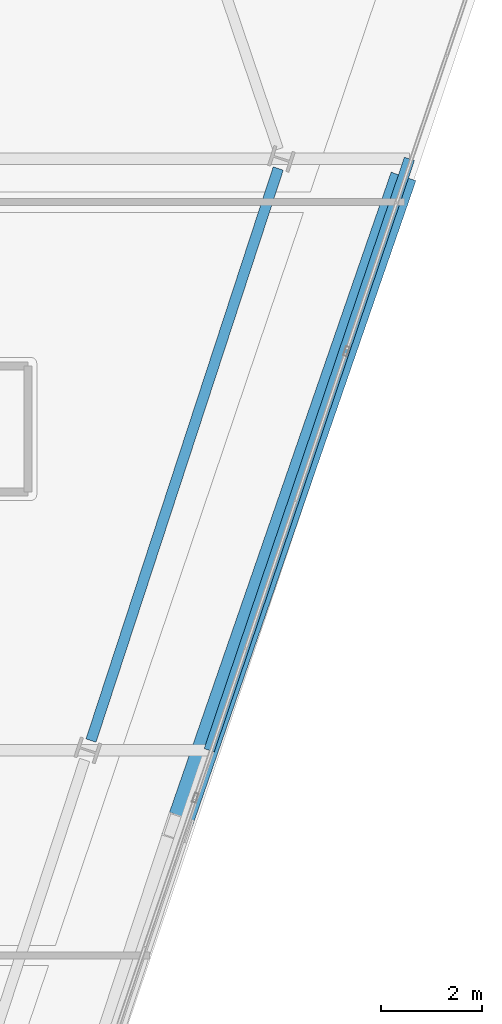
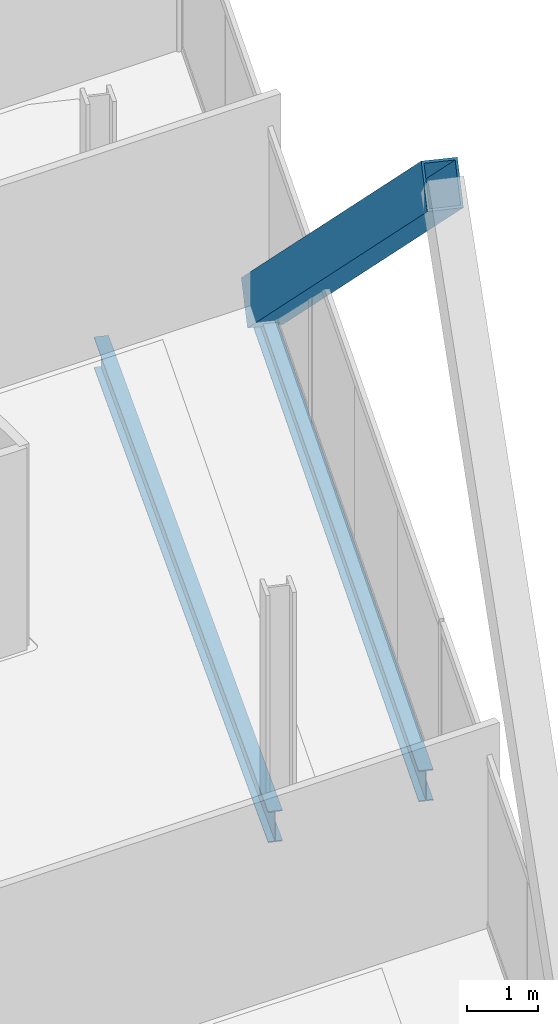
# One storey, part 11 of 29: 2 beams, 1 member.
"""IFC4 building model written with IfcOpenShell, lengths in metres."""

from ifc_helpers import new_model, si_unit, direction, frame, origin, origin_2d, place, context, subcontext, project, spatial, hollow_rectangle, i_section, extrude, material, material_profile, profile_set, type_object, element, save


model = new_model("IFC4")

# Units and contexts
model_context = context("Model", 3, precision=1e-05, world=origin(), true_north=direction((0.0, 1.0)))
body_context = subcontext(model_context, "Body", "Model", "MODEL_VIEW")
ifc_project = project(units=[si_unit("LENGTHUNIT", "METRE"), si_unit("AREAUNIT", "SQUARE_METRE"), si_unit("VOLUMEUNIT", "CUBIC_METRE"), si_unit("PLANEANGLEUNIT", "RADIAN"), si_unit("MASSUNIT", "GRAM", prefix="KILO")], contexts=[model_context])

# Site, building, storey
site_placement = place(None, origin())
site = spatial("IfcSite", under=ifc_project, at=site_placement, CompositionType="ELEMENT")
building_placement = place(site_placement, origin())
building = spatial("IfcBuilding", under=site, at=building_placement, Name="Haldenkirk Collegiate Tower", CompositionType="ELEMENT")
storey_placement = place(building_placement, frame((0.0, 0.0, 267.449951171875)))
storey = spatial("IfcBuildingStorey", under=building, at=storey_placement, Name="L67", CompositionType="ELEMENT", Elevation=267.449951171875)

# Beams
ifc_material_1 = material(Name="Steel ASTM A992 Grade 50", Category="steel")
ifc_material_profile_1 = material_profile(ifc_material_1, i_section(OverallWidth=0.2099609375, OverallDepth=0.537109375, WebThickness=0.010986328125, FlangeThickness=0.017333984375, at=origin_2d()), Name="W21X68")
ifc_profile_set_1 = profile_set([ifc_material_profile_1], Name="Steel ASTM A992 Grade 50")
beam_type = type_object("IfcBeamType", Name="BM-SPANDREL-W21X68", PredefinedType="SPANDREL", material=ifc_profile_set_1)
beam_1_placement = place(storey_placement, frame((55.54638671875, 19.81689453125, -0.538330078125), z_axis=(0.311010188249, 0.950406577631, 0.0), x_axis=(-0.950406577631, 0.311010188249, 0.0)))
element("IfcBeam", 1, at=beam_1_placement, inside=storey, type_object=beam_type, Name="L67 perimeter spandrel beam 03", PredefinedType="SPANDREL", context=body_context, shape_type="SweptSolid", body=[
    extrude(i_section(OverallWidth=0.2099609375, OverallDepth=0.537109375, WebThickness=0.010986328125, FlangeThickness=0.017333984375, at=origin_2d()), origin(), (0.0, 0.0, 1.0), 11.94287109375),
])
beam_2_placement = place(storey_placement, frame((57.8916015625, 19.624267578125, -0.538330078125), z_axis=(0.320616573655, 0.947209064937, 0.0), x_axis=(-0.947209064937, 0.320616573655, 0.0)))
element("IfcBeam", 2, at=beam_2_placement, inside=storey, type_object=beam_type, Name="L67 outer facade edge beam 1B", PredefinedType="SPANDREL", context=body_context, shape_type="SweptSolid", body=[
    extrude(i_section(OverallWidth=0.2099609375, OverallDepth=0.537109375, WebThickness=0.010986328125, FlangeThickness=0.017333984375, at=origin_2d()), origin(), (0.0, 0.0, 1.0), 12.389892578125),
])

# Member
ifc_material_2 = material(Name="Steel ASTM A572 Grade 50", Category="steel")
ifc_material_profile_2 = material_profile(ifc_material_2, hollow_rectangle(XDim=0.52001953125, YDim=0.719970703125, WallThickness=0.035888671875, at=origin_2d()), Name="BOX720X520X36")
ifc_profile_set_2 = profile_set([ifc_material_profile_2], Name="Steel ASTM A572 Grade 50")
member_type = type_object("IfcMemberType", Name="MBR-MEGABRACE-BOX720X520X36", PredefinedType="BRACE", material=ifc_profile_set_2)
member_placement = place(storey_placement, frame((61.67138671875, 30.791748046875, -0.280029296875), z_axis=(-0.250899164465, -0.724601578742, 0.641873945067), x_axis=(0.944955617392, -0.327198534775, 0.0)))
element("IfcMember", 3, at=member_placement, inside=storey, type_object=member_type, Name="Perimeter Mega Brace Z5 L67-L69 SR", PredefinedType="BRACE", context=body_context, shape_type="SweptSolid", body=[
    extrude(hollow_rectangle(XDim=0.52001953125, YDim=0.719970703125, WallThickness=0.035888671875, at=origin_2d()), origin(), (0.0, 0.0, 1.0), 17.52685546875),
])

save(model, "model.ifc")
